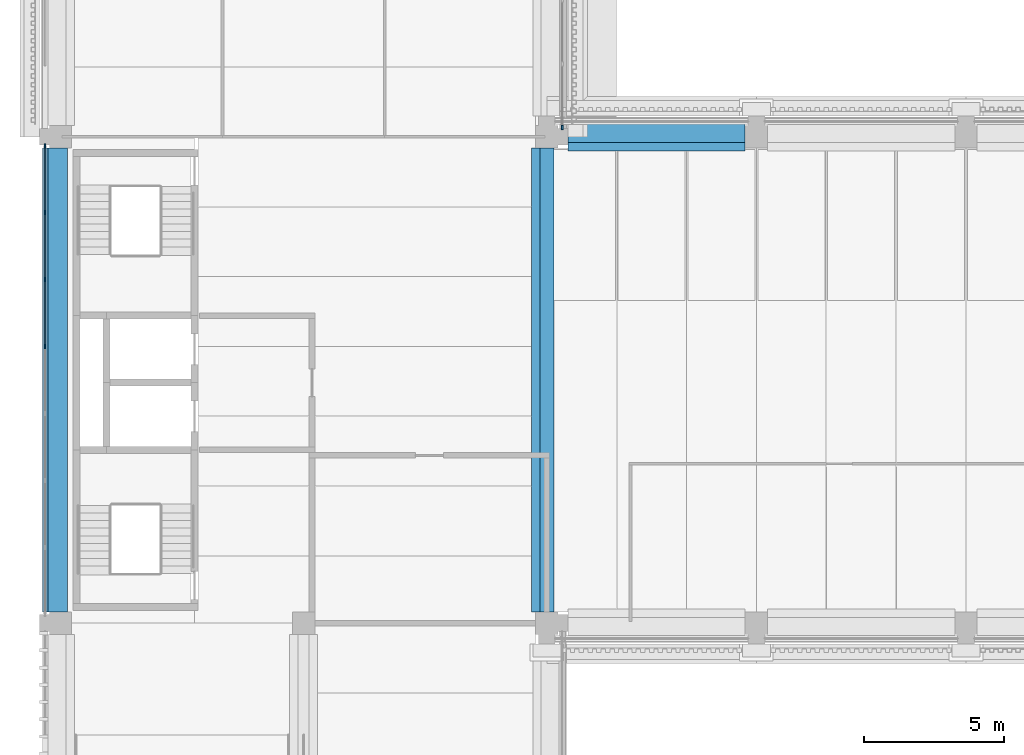
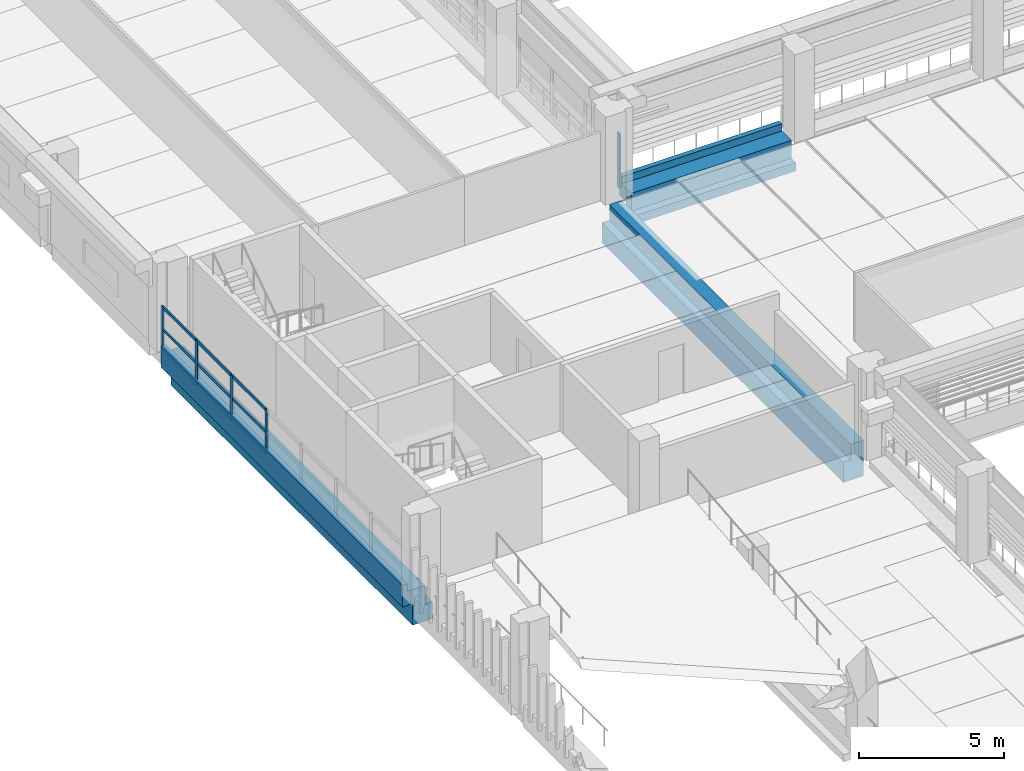
# One storey, part 5 of 71: 14 members, 3 beams, 2 elements without a shape of their own.
"""IFC4 building model written with IfcOpenShell, lengths in metres."""

import ifcopenshell
import ifcopenshell.guid

model = None  # the IFC model being written
_history = None  # IfcOwnerHistory: only IFC2X3 demands one
_inside = {}  # id of a spatial element -> (the spatial element, [elements in it])
_under = {}  # id of a project, library or spatial element -> (it, [spatial elements below it])
_declared = {}  # id of a project -> (the project, [libraries it declares])
_typed = {}  # id of a type object -> (the type object, [elements of that type])
_made_of = {}  # id of a material, layer set ... -> (it, [elements and type objects made of it])


def new_model(schema):
    """Start an empty IFC model of exactly this schema.

    Asked for "IFC4X3", IfcOpenShell would pick the latest addendum, in which some entities
    have other attributes; the version numbers below select the first issue.
    IFC2X3 requires an IfcOwnerHistory on every rooted entity: one is made here for all.
    """
    global model, _history
    if schema == "IFC4X3":
        model = ifcopenshell.file(schema_version=(4, 3, 0, 0))
    else:
        model = ifcopenshell.file(schema=schema)
    _inside.clear()
    _under.clear()
    _declared.clear()
    _typed.clear()
    _made_of.clear()
    _history = None
    if model.schema == "IFC2X3":
        org = make("IfcOrganization", Name="unknown")
        user = make(
            "IfcPersonAndOrganization",
            ThePerson=make("IfcPerson", FamilyName="unknown"),
            TheOrganization=org,
        )
        app = make(
            "IfcApplication",
            ApplicationDeveloper=org,
            Version="unknown",
            ApplicationFullName="unknown",
            ApplicationIdentifier="unknown",
        )
        _history = make(
            "IfcOwnerHistory",
            OwningUser=user,
            OwningApplication=app,
            ChangeAction="ADDED",
            CreationDate=0,
        )
    return model


def make(cls, **values):
    """One entity of the class cls with the attributes given. An attribute that is None is left unset."""
    return model.create_entity(
        cls, **{name: value for name, value in values.items() if value is not None}
    )


def rooted(cls, **values):
    """An entity with a GlobalId (a new one), such as an element, a storey or a relation."""
    return make(cls, GlobalId=ifcopenshell.guid.new(), OwnerHistory=_history, **values)


def si_unit(unit_type, name, prefix=None):
    """IfcSIUnit, for example si_unit("LENGTHUNIT", "METRE", prefix="MILLI")."""
    return make("IfcSIUnit", UnitType=unit_type, Prefix=prefix, Name=name)


def assignment(units):
    """IfcUnitAssignment: the units of a project."""
    return None if units is None else make("IfcUnitAssignment", Units=units)


def point(xyz):
    """IfcCartesianPoint."""
    return None if xyz is None else make("IfcCartesianPoint", Coordinates=xyz)


def direction(xyz):
    """IfcDirection."""
    return None if xyz is None else make("IfcDirection", DirectionRatios=xyz)


def frame(location, z_axis=None, x_axis=None):
    """IfcAxis2Placement3D, a coordinate frame: its origin and axes. An axis left out is left unset."""
    return make(
        "IfcAxis2Placement3D",
        Location=point(location),
        Axis=direction(z_axis),
        RefDirection=direction(x_axis),
    )


def frame_2d(location, x_axis=None):
    """IfcAxis2Placement2D, a coordinate frame in the plane: its origin and x axis."""
    return make(
        "IfcAxis2Placement2D", Location=point(location), RefDirection=direction(x_axis)
    )


def origin():
    """The frame at (0, 0, 0) with its axes left unset."""
    return frame((0.0, 0.0, 0.0))


def origin_2d():
    """The frame at (0, 0) in the plane with its x axis left unset."""
    return frame_2d((0.0, 0.0))


def place(relative_to, where):
    """IfcLocalPlacement: puts the frame where relative to a parent placement (None: the world)."""
    return make(
        "IfcLocalPlacement", PlacementRelTo=relative_to, RelativePlacement=where
    )


def context(
    kind, dimensions, precision=None, world=None, true_north=None, identifier=None
):
    """IfcGeometricRepresentationContext, for example the 3D "Model" context."""
    return make(
        "IfcGeometricRepresentationContext",
        ContextIdentifier=identifier,
        ContextType=kind,
        CoordinateSpaceDimension=dimensions,
        Precision=precision,
        WorldCoordinateSystem=world,
        TrueNorth=true_north,
    )


def subcontext(parent, identifier, kind, view, scale=None):
    """IfcGeometricRepresentationSubContext, for example "Body" below "Model"."""
    return make(
        "IfcGeometricRepresentationSubContext",
        ContextIdentifier=identifier,
        ContextType=kind,
        ParentContext=parent,
        TargetScale=scale,
        TargetView=view,
    )


def project(units=None, contexts=None):
    """IfcProject with its units and contexts."""
    return rooted(
        "IfcProject",
        Name="project",
        RepresentationContexts=contexts,
        UnitsInContext=assignment(units),
    )


def spatial(cls, under=None, at=None, **own):
    """A site, building, storey or space (cls), placed at a placement, below another one or the project."""
    s = rooted(cls, ObjectPlacement=at, **own)
    if under is not None:
        _under.setdefault(under.id(), (under, []))[1].append(s)
    return s


def polyline(points):
    """IfcPolyline through the points."""
    return make("IfcPolyline", Points=[point(p) for p in points])


def profile(cls, at=None, kind="AREA", **sizes):
    """A parametric profile (cls). Its sizes go by their IFC names, for example OverallWidth=200.0."""
    return make(cls, ProfileType=kind, Position=at, **sizes)


def rectangle(**sizes):
    """IfcRectangleProfileDef."""
    return profile("IfcRectangleProfileDef", **sizes)


def outline(outer, holes=None, kind="AREA"):
    """IfcArbitraryClosedProfileDef: a profile drawn as a closed curve; with holes, ...WithVoids."""
    if holes is None:
        return make("IfcArbitraryClosedProfileDef", ProfileType=kind, OuterCurve=outer)
    return make(
        "IfcArbitraryProfileDefWithVoids",
        ProfileType=kind,
        OuterCurve=outer,
        InnerCurves=holes,
    )


def extrude(swept, where, along, depth):
    """IfcExtrudedAreaSolid: the profile swept, set in the frame where, extruded along a direction by depth."""
    return make(
        "IfcExtrudedAreaSolid",
        SweptArea=swept,
        Position=where,
        ExtrudedDirection=direction(along),
        Depth=depth,
    )


def shape(context_of_items, identifier, shape_type, items):
    """IfcShapeRepresentation: the items that make up one representation, for example the "Body"."""
    return make(
        "IfcShapeRepresentation",
        ContextOfItems=context_of_items,
        RepresentationIdentifier=identifier,
        RepresentationType=shape_type,
        Items=items,
    )


def material(Name=None, Category=None):
    """IfcMaterial."""
    return make("IfcMaterial", Name=Name, Category=Category)


def layer(
    of_material, thickness, ventilated=None, Name=None, Category=None, Priority=None
):
    """IfcMaterialLayer: one layer of a wall or slab, of a material (None: an air gap)."""
    return make(
        "IfcMaterialLayer",
        Material=of_material,
        LayerThickness=thickness,
        IsVentilated=ventilated,
        Name=Name,
        Category=Category,
        Priority=Priority,
    )


def layer_set(layers, Name=None):
    """IfcMaterialLayerSet."""
    return make("IfcMaterialLayerSet", MaterialLayers=layers, LayerSetName=Name)


def material_profile(
    of_material, cross_section, Name=None, Category=None, Priority=None
):
    """IfcMaterialProfile: a cross section and its material."""
    return make(
        "IfcMaterialProfile",
        Name=Name,
        Material=of_material,
        Profile=cross_section,
        Priority=Priority,
        Category=Category,
    )


def profile_set(profiles, Name=None, composite=None):
    """IfcMaterialProfileSet."""
    return make(
        "IfcMaterialProfileSet",
        Name=Name,
        MaterialProfiles=profiles,
        CompositeProfile=composite,
    )


def made_of(thing, what):
    """Note that an element or type object is made of a material, layer set ...; save() writes the relation."""
    if what is not None:
        _made_of.setdefault(what.id(), (what, []))[1].append(thing)
    return thing


def type_object(cls, material=None, **own):
    """A type object (cls), such as IfcWallType, which elements share."""
    return made_of(rooted(cls, **own), material)


def element(
    cls,
    number,
    at=None,
    inside=None,
    cuts=None,
    type_object=None,
    material=None,
    context=None,
    identifier="Body",
    shape_type=None,
    held_by="IfcProductDefinitionShape",
    body=None,
    shapes=None,
    **own,
):
    """One element of the class cls, such as IfcWall. Its Tag is "e" and its number.

    at: its placement. inside: the storey or other place that contains it. cuts: it is an
    opening in that element (IfcRelVoidsElement). A single representation is given by context,
    identifier, shape_type and body (its items); several are given by shapes. held_by: the class
    of the entity that holds the representations. save() writes the other relations.
    """
    e = rooted(cls, Tag="e%d" % number, ObjectPlacement=at, **own)
    if body is not None:
        shapes = [shape(context, identifier, shape_type, body)]
    if shapes is not None:
        e.Representation = make(held_by, Representations=shapes)
    if inside is not None:
        _inside.setdefault(inside.id(), (inside, []))[1].append(e)
    if cuts is not None:
        rooted(
            "IfcRelVoidsElement", RelatingBuildingElement=cuts, RelatedOpeningElement=e
        )
    if type_object is not None:
        _typed.setdefault(type_object.id(), (type_object, []))[1].append(e)
    return made_of(e, material)


def aggregate(whole, parts):
    """IfcRelAggregates: a whole, such as a stair, and the parts it consists of."""
    return rooted("IfcRelAggregates", RelatingObject=whole, RelatedObjects=parts)


def save(model, path):
    """Write the relations noted so far, then the file.

    IfcRelAggregates (storeys below a building ...), IfcRelContainedInSpatialStructure (elements
    in a storey), IfcRelDefinesByType, IfcRelAssociatesMaterial and IfcRelDeclares: one each for
    every whole, place, type object, material and project.
    """
    for whole, parts in _under.values():
        aggregate(whole, parts)
    for where, things in _inside.values():
        rooted(
            "IfcRelContainedInSpatialStructure",
            RelatedElements=things,
            RelatingStructure=where,
        )
    for kind, things in _typed.values():
        rooted("IfcRelDefinesByType", RelatedObjects=things, RelatingType=kind)
    for what, things in _made_of.values():
        rooted("IfcRelAssociatesMaterial", RelatedObjects=things, RelatingMaterial=what)
    for by, libraries in _declared.values():
        rooted("IfcRelDeclares", RelatingContext=by, RelatedDefinitions=libraries)
    model.write(path)


model = new_model("IFC4")

# Units and contexts
model_context = context("Model", 3, precision=1e-05, world=origin(), true_north=direction((0.0, 1.0)))
body_context = subcontext(model_context, "Body", "Model", "MODEL_VIEW")
ifc_project = project(units=[si_unit("LENGTHUNIT", "METRE"), si_unit("AREAUNIT", "SQUARE_METRE"), si_unit("VOLUMEUNIT", "CUBIC_METRE"), si_unit("PLANEANGLEUNIT", "RADIAN"), si_unit("MASSUNIT", "GRAM", prefix="KILO")], contexts=[model_context])

# Site, building, storey
site_placement = place(None, origin())
site = spatial("IfcSite", under=ifc_project, at=site_placement, CompositionType="ELEMENT")
building_placement = place(site_placement, origin())
building = spatial("IfcBuilding", under=site, at=building_placement, Name="Cour d'Honneur Mobility Palace", CompositionType="ELEMENT")
storey_placement = place(building_placement, frame((0.0, 0.0, 15.60009765625)))
storey = spatial("IfcBuildingStorey", under=building, at=storey_placement, Name="L04", CompositionType="ELEMENT", Elevation=15.60009765625)

# Curtain wall, member
ifc_material_1 = material(Name="Aluminium and glass", Category="aluminium")
ifc_layer = layer(ifc_material_1, 0.10009765625)
ifc_layer_set = layer_set([ifc_layer], Name="Aluminium and glass")
curtain_wall_type = type_object("IfcCurtainWallType", Name="Curtain wall run", PredefinedType="NOTDEFINED", material=ifc_layer_set)
curtain_wall_1_placement = place(storey_placement, origin())
curtain_wall_1 = element("IfcCurtainWall", 1, at=curtain_wall_1_placement, inside=storey, type_object=curtain_wall_type, Name="Curtain wall CW-37", PredefinedType="NOTDEFINED")
ifc_material_2 = material(Name="Aluminium", Category="aluminium")
ifc_material_profile_1 = material_profile(ifc_material_2, rectangle(XDim=0.06005859375, YDim=0.159912109375, at=origin_2d()), Name="Curtain wall mullion")
ifc_profile_set_1 = profile_set([ifc_material_profile_1], Name="Aluminium")
member_type_1 = type_object("IfcMemberType", Name="Curtain wall mullion", PredefinedType="MULLION", material=ifc_profile_set_1)
member_1_placement = place(storey_placement, frame((17.949951171875, 62.72998046875, 0.0), z_axis=(0.0, 0.0, 1.0), x_axis=(-1.0, 0.0, 0.0)))
member_1 = element("IfcMember", 2, at=member_1_placement, type_object=member_type_1, Name="CW-37 mullion 1", PredefinedType="MULLION", context=body_context, shape_type="SweptSolid", body=[
    extrude(rectangle(XDim=0.06005859375, YDim=0.159912109375, at=origin_2d()), origin(), (0.0, 0.0, 1.0), 2.2998046875),
])
aggregate(curtain_wall_1, [member_1])

# Curtain wall, members
curtain_wall_2_placement = place(storey_placement, origin())
curtain_wall_2 = element("IfcCurtainWall", 3, at=curtain_wall_2_placement, inside=storey, type_object=curtain_wall_type, Name="Curtain wall CW-103", PredefinedType="NOTDEFINED")
member_2_placement = place(storey_placement, frame((-0.550048828125, 62.070068359375, 0.0), z_axis=(0.0, 0.0, 1.0), x_axis=(1.0, 0.0, 0.0)))
member_2 = element("IfcMember", 4, at=member_2_placement, type_object=member_type_1, Name="CW-103 mullion 1", PredefinedType="MULLION", context=body_context, shape_type="SweptSolid", body=[
    extrude(rectangle(XDim=0.06005859375, YDim=0.159912109375, at=origin_2d()), origin(), (0.0, 0.0, 1.0), 1.89990234375),
])
member_3_placement = place(storey_placement, frame((-0.550048828125, 59.699951171875, 0.0), z_axis=(0.0, 0.0, 1.0), x_axis=(1.0, 0.0, 0.0)))
member_3 = element("IfcMember", 5, at=member_3_placement, type_object=member_type_1, Name="CW-103 mullion 2", PredefinedType="MULLION", context=body_context, shape_type="SweptSolid", body=[
    extrude(rectangle(XDim=0.06005859375, YDim=0.159912109375, at=origin_2d()), origin(), (0.0, 0.0, 1.0), 1.89990234375),
])
member_4_placement = place(storey_placement, frame((-0.550048828125, 57.300048828125, 0.0), z_axis=(0.0, 0.0, 1.0), x_axis=(1.0, 0.0, 0.0)))
member_4 = element("IfcMember", 6, at=member_4_placement, type_object=member_type_1, Name="CW-103 mullion 3", PredefinedType="MULLION", context=body_context, shape_type="SweptSolid", body=[
    extrude(rectangle(XDim=0.06005859375, YDim=0.159912109375, at=origin_2d()), origin(), (0.0, 0.0, 1.0), 1.89990234375),
])
member_5_placement = place(storey_placement, frame((-0.550048828125, 54.89990234375, 0.0), z_axis=(0.0, 0.0, 1.0), x_axis=(1.0, 0.0, 0.0)))
member_5 = element("IfcMember", 7, at=member_5_placement, type_object=member_type_1, Name="CW-103 mullion 4", PredefinedType="MULLION", context=body_context, shape_type="SweptSolid", body=[
    extrude(rectangle(XDim=0.06005859375, YDim=0.159912109375, at=origin_2d()), origin(), (0.0, 0.0, 1.0), 1.89990234375),
])
ifc_material_3 = material(Name="Aluminium", Category="aluminium")
ifc_material_profile_2 = material_profile(ifc_material_3, rectangle(XDim=0.06005859375, YDim=0.1201171875, at=origin_2d()), Name="Curtain wall transom")
ifc_profile_set_2 = profile_set([ifc_material_profile_2], Name="Aluminium")
member_type_2 = type_object("IfcMemberType", Name="Curtain wall transom", PredefinedType="USERDEFINED", material=ifc_profile_set_2)
member_6_placement = place(storey_placement, frame((-0.550048828125, 62.0400390625, 0.02978515625), z_axis=(0.0, -1.0, 0.0), x_axis=(1.0, 0.0, 0.0)))
member_6 = element("IfcMember", 8, at=member_6_placement, type_object=member_type_2, Name="CW-103 transom 1.1", ObjectType="TRANSOM", PredefinedType="USERDEFINED", context=body_context, shape_type="SweptSolid", body=[
    extrude(rectangle(XDim=0.06005859375, YDim=0.1201171875, at=origin_2d()), origin(), (0.0, 0.0, 1.0), 2.31005859375),
])
member_7_placement = place(storey_placement, frame((-0.550048828125, 62.0400390625, 0.949951171875), z_axis=(0.0, -1.0, 0.0), x_axis=(1.0, 0.0, 0.0)))
member_7 = element("IfcMember", 9, at=member_7_placement, type_object=member_type_2, Name="CW-103 transom 1.2", ObjectType="TRANSOM", PredefinedType="USERDEFINED", context=body_context, shape_type="SweptSolid", body=[
    extrude(rectangle(XDim=0.06005859375, YDim=0.1201171875, at=origin_2d()), origin(), (0.0, 0.0, 1.0), 2.31005859375),
])
member_8_placement = place(storey_placement, frame((-0.550048828125, 62.0400390625, 1.869873046875), z_axis=(0.0, -1.0, 0.0), x_axis=(1.0, 0.0, 0.0)))
member_8 = element("IfcMember", 10, at=member_8_placement, type_object=member_type_2, Name="CW-103 transom 1.3", ObjectType="TRANSOM", PredefinedType="USERDEFINED", context=body_context, shape_type="SweptSolid", body=[
    extrude(rectangle(XDim=0.06005859375, YDim=0.1201171875, at=origin_2d()), origin(), (0.0, 0.0, 1.0), 2.31005859375),
])
member_9_placement = place(storey_placement, frame((-0.550048828125, 59.669921875, 0.02978515625), z_axis=(0.0, -1.0, 0.0), x_axis=(1.0, 0.0, 0.0)))
member_9 = element("IfcMember", 11, at=member_9_placement, type_object=member_type_2, Name="CW-103 transom 2.1", ObjectType="TRANSOM", PredefinedType="USERDEFINED", context=body_context, shape_type="SweptSolid", body=[
    extrude(rectangle(XDim=0.06005859375, YDim=0.1201171875, at=origin_2d()), origin(), (0.0, 0.0, 1.0), 2.33984375),
])
member_10_placement = place(storey_placement, frame((-0.550048828125, 59.669921875, 0.949951171875), z_axis=(0.0, -1.0, 0.0), x_axis=(1.0, 0.0, 0.0)))
member_10 = element("IfcMember", 12, at=member_10_placement, type_object=member_type_2, Name="CW-103 transom 2.2", ObjectType="TRANSOM", PredefinedType="USERDEFINED", context=body_context, shape_type="SweptSolid", body=[
    extrude(rectangle(XDim=0.06005859375, YDim=0.1201171875, at=origin_2d()), origin(), (0.0, 0.0, 1.0), 2.33984375),
])
member_11_placement = place(storey_placement, frame((-0.550048828125, 59.669921875, 1.869873046875), z_axis=(0.0, -1.0, 0.0), x_axis=(1.0, 0.0, 0.0)))
member_11 = element("IfcMember", 13, at=member_11_placement, type_object=member_type_2, Name="CW-103 transom 2.3", ObjectType="TRANSOM", PredefinedType="USERDEFINED", context=body_context, shape_type="SweptSolid", body=[
    extrude(rectangle(XDim=0.06005859375, YDim=0.1201171875, at=origin_2d()), origin(), (0.0, 0.0, 1.0), 2.33984375),
])
member_12_placement = place(storey_placement, frame((-0.550048828125, 57.27001953125, 0.02978515625), z_axis=(0.0, -1.0, 0.0), x_axis=(1.0, 0.0, 0.0)))
member_12 = element("IfcMember", 14, at=member_12_placement, type_object=member_type_2, Name="CW-103 transom 3.1", ObjectType="TRANSOM", PredefinedType="USERDEFINED", context=body_context, shape_type="SweptSolid", body=[
    extrude(rectangle(XDim=0.06005859375, YDim=0.1201171875, at=origin_2d()), origin(), (0.0, 0.0, 1.0), 2.340087890625),
])
member_13_placement = place(storey_placement, frame((-0.550048828125, 57.27001953125, 0.949951171875), z_axis=(0.0, -1.0, 0.0), x_axis=(1.0, 0.0, 0.0)))
member_13 = element("IfcMember", 15, at=member_13_placement, type_object=member_type_2, Name="CW-103 transom 3.2", ObjectType="TRANSOM", PredefinedType="USERDEFINED", context=body_context, shape_type="SweptSolid", body=[
    extrude(rectangle(XDim=0.06005859375, YDim=0.1201171875, at=origin_2d()), origin(), (0.0, 0.0, 1.0), 2.340087890625),
])
member_14_placement = place(storey_placement, frame((-0.550048828125, 57.27001953125, 1.869873046875), z_axis=(0.0, -1.0, 0.0), x_axis=(1.0, 0.0, 0.0)))
member_14 = element("IfcMember", 16, at=member_14_placement, type_object=member_type_2, Name="CW-103 transom 3.3", ObjectType="TRANSOM", PredefinedType="USERDEFINED", context=body_context, shape_type="SweptSolid", body=[
    extrude(rectangle(XDim=0.06005859375, YDim=0.1201171875, at=origin_2d()), origin(), (0.0, 0.0, 1.0), 2.340087890625),
])
aggregate(curtain_wall_2, [member_2, member_3, member_4, member_5, member_6, member_7, member_8, member_9, member_10, member_11, member_12, member_13, member_14])

# Beams
ifc_material_4 = material(Name="Concrete C45", Category="concrete")
ifc_material_profile_3 = material_profile(ifc_material_4, outline(polyline([(0.199951171875, -1.10009765625), (0.199951171875, -0.60009765625), (0.64990234375, -0.60009765625), (0.64990234375, 0.300048828125), (0.449951171875, 0.300048828125), (0.449951171875, 0.0), (0.199951171875, 0.0), (-0.199951171875, 0.0), (-0.199951171875, -0.75), (-0.5, -0.75), (-0.5, -1.10009765625), (0.199951171875, -1.10009765625)])), Name="Ledger Beam 400x1100 ledge right 350 facade left")
ifc_profile_set_3 = profile_set([ifc_material_profile_3], Name="Concrete C45")
beam_type_1 = type_object("IfcBeamType", Name="Ledger Beam 400x1100 ledge right 350 facade left", PredefinedType="BEAM", material=ifc_profile_set_3)
beam_1_placement = place(storey_placement, frame((18.14990234375, 62.39990234375, 0.0), z_axis=(1.0, 0.0, 0.0), x_axis=(0.0, 1.0, 0.0)))
element("IfcBeam", 17, at=beam_1_placement, inside=storey, type_object=beam_type_1, Name="Precast beam B4 2-3 L04", PredefinedType="BEAM", context=body_context, shape_type="SweptSolid", body=[
    extrude(outline(polyline([(0.199951171875, -1.10009765625), (0.199951171875, -0.60009765625), (0.64990234375, -0.60009765625), (0.64990234375, 0.300048828125), (0.449951171875, 0.300048828125), (0.449951171875, 0.0), (0.199951171875, 0.0), (-0.199951171875, 0.0), (-0.199951171875, -0.75), (-0.5, -0.75), (-0.5, -1.10009765625), (0.199951171875, -1.10009765625)])), origin(), (0.0, 0.0, 1.0), 6.35009765625),
])
ifc_material_5 = material(Name="Concrete C45", Category="concrete")
ifc_material_profile_4 = material_profile(ifc_material_5, outline(polyline([(0.550048828125, -1.5), (0.550048828125, -0.64990234375), (0.25, -0.64990234375), (0.25, 0.0), (-0.25, 0.0), (-0.25, -1.5), (0.550048828125, -1.5)])), Name="Ledger Beam 500x1500 ledge left 850 plain")
ifc_profile_set_4 = profile_set([ifc_material_profile_4], Name="Concrete C45")
beam_type_2 = type_object("IfcBeamType", Name="Ledger Beam 500x1500 ledge left 850 plain", PredefinedType="BEAM", material=ifc_profile_set_4)
beam_2_placement = place(storey_placement, frame((17.39990234375, 45.39990234375, 0.0), z_axis=(0.0, 1.0, 0.0), x_axis=(-1.0, 0.0, 0.0)))
element("IfcBeam", 18, at=beam_2_placement, inside=storey, type_object=beam_type_2, Name="Precast beam B13 G-H L04", PredefinedType="BEAM", context=body_context, shape_type="SweptSolid", body=[
    extrude(outline(polyline([(0.550048828125, -1.5), (0.550048828125, -0.64990234375), (0.25, -0.64990234375), (0.25, 0.0), (-0.25, 0.0), (-0.25, -1.5), (0.550048828125, -1.5)])), origin(), (0.0, 0.0, 1.0), 16.60009765625),
])
ifc_material_6 = material(Name="Concrete C45", Category="concrete")
ifc_material_profile_5 = material_profile(ifc_material_6, outline(polyline([(0.25, -1.5), (0.25, -0.60009765625), (0.64990234375, -0.60009765625), (0.64990234375, 0.300048828125), (0.449951171875, 0.300048828125), (0.449951171875, 0.0), (0.25, 0.0), (-0.25, 0.0), (-0.25, -0.800048828125), (-0.550048828125, -0.800048828125), (-0.550048828125, -1.5), (0.25, -1.5)])), Name="Ledger Beam 500x1500 ledge right 700 facade left")
ifc_profile_set_5 = profile_set([ifc_material_profile_5], Name="Concrete C45")
beam_type_3 = type_object("IfcBeamType", Name="Ledger Beam 500x1500 ledge right 700 facade left", PredefinedType="BEAM", material=ifc_profile_set_5)
beam_3_placement = place(storey_placement, frame((0.0, 45.39990234375, 0.0), z_axis=(0.0, 1.0, 0.0), x_axis=(-1.0, 0.0, 0.0)))
element("IfcBeam", 19, at=beam_3_placement, inside=storey, type_object=beam_type_3, Name="Precast beam B8 G-H L04", PredefinedType="BEAM", context=body_context, shape_type="SweptSolid", body=[
    extrude(outline(polyline([(0.25, -1.5), (0.25, -0.60009765625), (0.64990234375, -0.60009765625), (0.64990234375, 0.300048828125), (0.449951171875, 0.300048828125), (0.449951171875, 0.0), (0.25, 0.0), (-0.25, 0.0), (-0.25, -0.800048828125), (-0.550048828125, -0.800048828125), (-0.550048828125, -1.5), (0.25, -1.5)])), origin(), (0.0, 0.0, 1.0), 16.60009765625),
])

save(model, "model.ifc")
